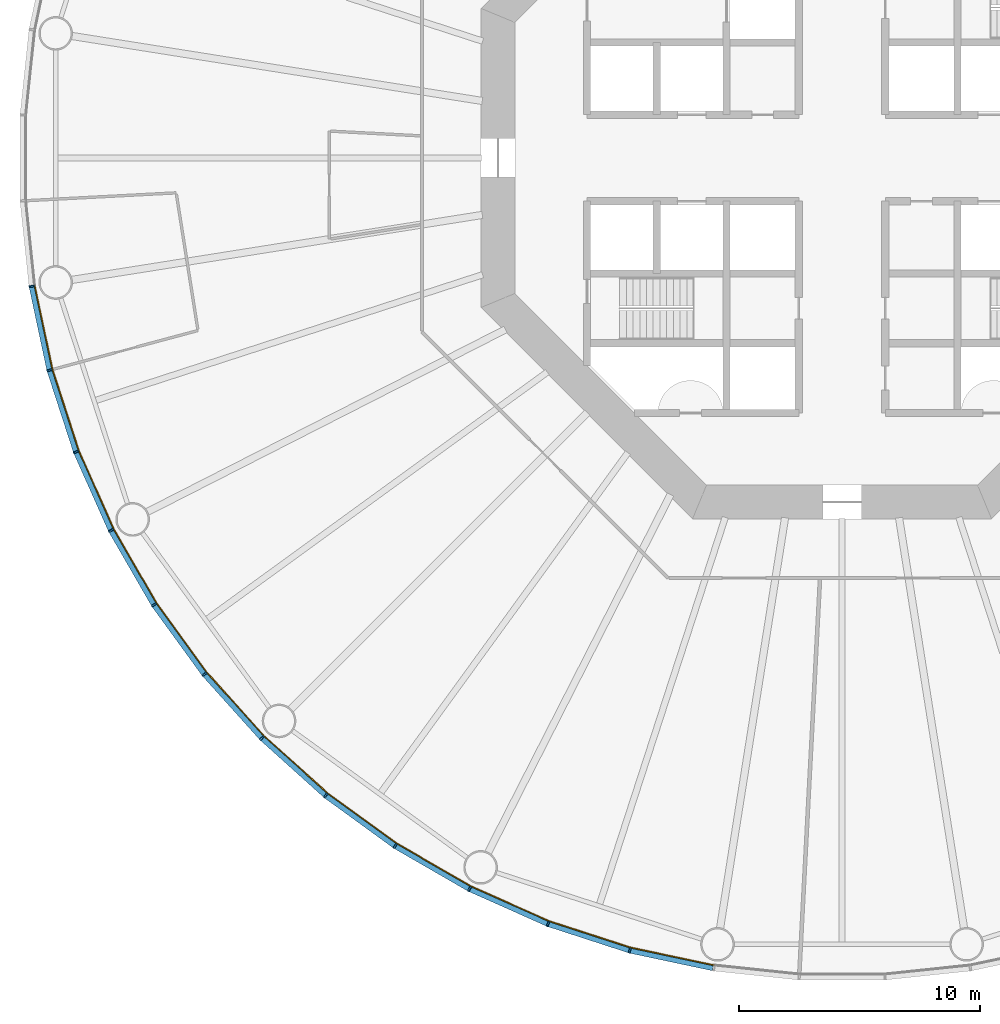
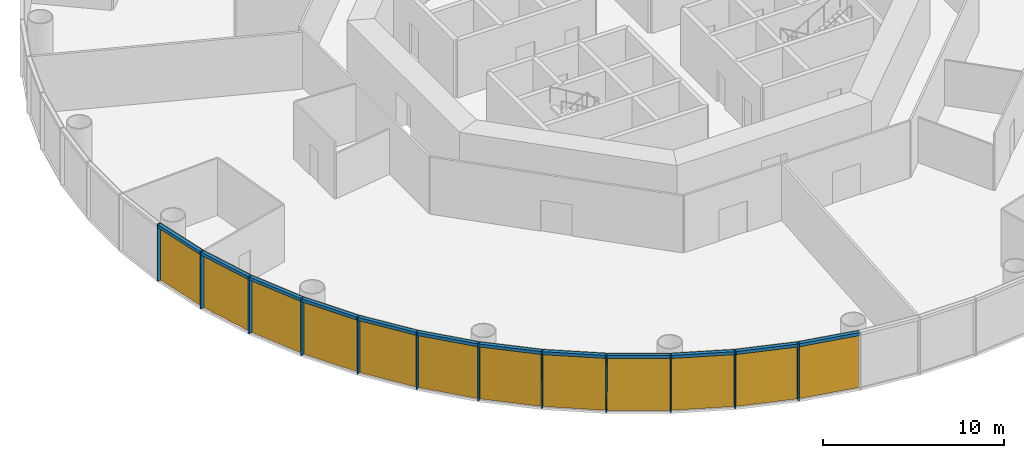
# One storey, part 6 of 12: 24 members, 4 curtain walls.
"""IFC4 building model written with IfcOpenShell, lengths in metres."""

from ifc_helpers import new_model, si_unit, direction, frame, origin, origin_2d, place, context, subcontext, project, spatial, polyline, rectangle, outline, extrude, material, layer, layer_set, material_profile, profile_set, type_object, element, aggregate, save


model = new_model("IFC4")

# Units and contexts
model_context = context("Model", 3, precision=1e-05, world=origin(), true_north=direction((0.0, 1.0)))
body_context = subcontext(model_context, "Body", "Model", "MODEL_VIEW")
ifc_project = project(units=[si_unit("LENGTHUNIT", "METRE"), si_unit("AREAUNIT", "SQUARE_METRE"), si_unit("VOLUMEUNIT", "CUBIC_METRE"), si_unit("PLANEANGLEUNIT", "RADIAN"), si_unit("MASSUNIT", "GRAM", prefix="KILO")], contexts=[model_context])

# Member
ifc_material_1 = material(Name="Anodised aluminium", Category="aluminium")
ifc_material_profile_1 = material_profile(ifc_material_1, rectangle(XDim=0.074951171875, YDim=0.219970703125, at=origin_2d()), Name="Mullion 75 x 220 mm anodised aluminium")
ifc_profile_set_1 = profile_set([ifc_material_profile_1], Name="Anodised aluminium")
member_type_1 = type_object("IfcMemberType", Name="Mullion 75 x 220 mm anodised aluminium", PredefinedType="MULLION", material=ifc_profile_set_1)
site_placement = place(None, origin())
building_placement = place(site_placement, origin())
storey_placement = place(building_placement, frame((0.0, 0.0, 66.0)))
member_1_placement = place(storey_placement, frame((56.31005859375, 74.6640625, 0.0), z_axis=(0.0, 0.0, 1.0), x_axis=(0.15643446504, -0.987688340595, 0.0)))
member_1 = element("IfcMember", 1, at=member_1_placement, type_object=member_type_1, Name="MULLION L14-30", PredefinedType="MULLION", context=body_context, shape_type="SweptSolid", body=[
    extrude(rectangle(XDim=0.074951171875, YDim=0.219970703125, at=origin_2d()), origin(), (0.0, 0.0, 1.0), 3.85009765625),
])

member_2_placement = place(storey_placement, frame((57.05224609375, 71.171630859375, 0.0), z_axis=(0.0, 0.0, 1.0), x_axis=(0.258819045103, -0.965925826289, 0.0)))
member_2 = element("IfcMember", 2, at=member_2_placement, type_object=member_type_1, Name="MULLION L14-31", PredefinedType="MULLION", context=body_context, shape_type="SweptSolid", body=[
    extrude(rectangle(XDim=0.074951171875, YDim=0.219970703125, at=origin_2d()), origin(), (0.0, 0.0, 1.0), 3.85009765625),
])

member_3_placement = place(storey_placement, frame((58.155517578125, 67.776123046875, 0.0), z_axis=(0.0, 0.0, 1.0), x_axis=(0.358367949545, -0.933580426497, 0.0)))
member_3 = element("IfcMember", 3, at=member_3_placement, type_object=member_type_1, Name="MULLION L14-32", PredefinedType="MULLION", context=body_context, shape_type="SweptSolid", body=[
    extrude(rectangle(XDim=0.074951171875, YDim=0.219970703125, at=origin_2d()), origin(), (0.0, 0.0, 1.0), 3.85009765625),
])

member_4_placement = place(storey_placement, frame((59.607666015625, 64.514404296875, 0.0), z_axis=(0.0, 0.0, 1.0), x_axis=(0.45399049974, -0.891006524188, 0.0)))
member_4 = element("IfcMember", 4, at=member_4_placement, type_object=member_type_1, Name="MULLION L14-33", PredefinedType="MULLION", context=body_context, shape_type="SweptSolid", body=[
    extrude(rectangle(XDim=0.074951171875, YDim=0.219970703125, at=origin_2d()), origin(), (0.0, 0.0, 1.0), 3.85009765625),
])

member_5_placement = place(storey_placement, frame((61.39306640625, 61.42236328125, 0.0), z_axis=(0.0, 0.0, 1.0), x_axis=(0.544639035015, -0.838670567945, 0.0)))
member_5 = element("IfcMember", 5, at=member_5_placement, type_object=member_type_1, Name="MULLION L14-34", PredefinedType="MULLION", context=body_context, shape_type="SweptSolid", body=[
    extrude(rectangle(XDim=0.074951171875, YDim=0.219970703125, at=origin_2d()), origin(), (0.0, 0.0, 1.0), 3.85009765625),
])

member_6_placement = place(storey_placement, frame((63.491455078125, 58.533935546875, 0.0), z_axis=(0.0, 0.0, 1.0), x_axis=(0.62932039105, -0.777145961457, 0.0)))
member_6 = element("IfcMember", 6, at=member_6_placement, type_object=member_type_1, Name="MULLION L14-35", PredefinedType="MULLION", context=body_context, shape_type="SweptSolid", body=[
    extrude(rectangle(XDim=0.074951171875, YDim=0.219970703125, at=origin_2d()), origin(), (0.0, 0.0, 1.0), 3.85009765625),
])

member_7_placement = place(storey_placement, frame((65.880615234375, 55.880615234375, 0.0), z_axis=(0.0, 0.0, 1.0), x_axis=(0.707106781187, -0.707106781187, 0.0)))
member_7 = element("IfcMember", 7, at=member_7_placement, type_object=member_type_1, Name="MULLION L14-36", PredefinedType="MULLION", context=body_context, shape_type="SweptSolid", body=[
    extrude(rectangle(XDim=0.074951171875, YDim=0.219970703125, at=origin_2d()), origin(), (0.0, 0.0, 1.0), 3.85009765625),
])

member_8_placement = place(storey_placement, frame((68.533935546875, 53.491455078125, 0.0), z_axis=(0.0, 0.0, 1.0), x_axis=(0.777145961457, -0.62932039105, 0.0)))
member_8 = element("IfcMember", 8, at=member_8_placement, type_object=member_type_1, Name="MULLION L14-37", PredefinedType="MULLION", context=body_context, shape_type="SweptSolid", body=[
    extrude(rectangle(XDim=0.074951171875, YDim=0.219970703125, at=origin_2d()), origin(), (0.0, 0.0, 1.0), 3.85009765625),
])

member_9_placement = place(storey_placement, frame((71.42236328125, 51.39306640625, 0.0), z_axis=(0.0, 0.0, 1.0), x_axis=(0.838670567945, -0.544639035015, 0.0)))
member_9 = element("IfcMember", 9, at=member_9_placement, type_object=member_type_1, Name="MULLION L14-38", PredefinedType="MULLION", context=body_context, shape_type="SweptSolid", body=[
    extrude(rectangle(XDim=0.074951171875, YDim=0.219970703125, at=origin_2d()), origin(), (0.0, 0.0, 1.0), 3.85009765625),
])

member_10_placement = place(storey_placement, frame((74.514404296875, 49.607666015625, 0.0), z_axis=(0.0, 0.0, 1.0), x_axis=(0.891006524188, -0.45399049974, 0.0)))
member_10 = element("IfcMember", 10, at=member_10_placement, type_object=member_type_1, Name="MULLION L14-39", PredefinedType="MULLION", context=body_context, shape_type="SweptSolid", body=[
    extrude(rectangle(XDim=0.074951171875, YDim=0.219970703125, at=origin_2d()), origin(), (0.0, 0.0, 1.0), 3.85009765625),
])

member_11_placement = place(storey_placement, frame((77.776123046875, 48.155517578125, 0.0), z_axis=(0.0, 0.0, 1.0), x_axis=(0.933580426497, -0.358367949545, 0.0)))
member_11 = element("IfcMember", 11, at=member_11_placement, type_object=member_type_1, Name="MULLION L14-40", PredefinedType="MULLION", context=body_context, shape_type="SweptSolid", body=[
    extrude(rectangle(XDim=0.074951171875, YDim=0.219970703125, at=origin_2d()), origin(), (0.0, 0.0, 1.0), 3.85009765625),
])

member_12_placement = place(storey_placement, frame((81.171630859375, 47.05224609375, 0.0), z_axis=(0.0, 0.0, 1.0), x_axis=(0.965925826289, -0.258819045103, 0.0)))
member_12 = element("IfcMember", 12, at=member_12_placement, type_object=member_type_1, Name="MULLION L14-41", PredefinedType="MULLION", context=body_context, shape_type="SweptSolid", body=[
    extrude(rectangle(XDim=0.074951171875, YDim=0.219970703125, at=origin_2d()), origin(), (0.0, 0.0, 1.0), 3.85009765625),
])

ifc_material_2 = material(Name="Anodised aluminium", Category="aluminium")
ifc_material_profile_2 = material_profile(ifc_material_2, rectangle(XDim=0.219970703125, YDim=0.199951171875, at=origin_2d()), Name="Transom 200 x 220 mm anodised aluminium")
ifc_profile_set_2 = profile_set([ifc_material_profile_2], Name="Anodised aluminium")
member_type_2 = type_object("IfcMemberType", Name="Transom 200 x 220 mm anodised aluminium", PredefinedType="USERDEFINED", material=ifc_profile_set_2)
member_13_placement = place(storey_placement, frame((56.31884765625, 74.62158203125, 3.75), z_axis=(0.207920776701, -0.978145669426, 0.0), x_axis=(0.978145669426, 0.207920776701, 0.0)))
member_13 = element("IfcMember", 13, at=member_13_placement, type_object=member_type_2, Name="TRANSOM L14-30", ObjectType="TRANSOM", PredefinedType="USERDEFINED", context=body_context, shape_type="SweptSolid", body=[
    extrude(rectangle(XDim=0.219970703125, YDim=0.199951171875, at=origin_2d()), origin(), (0.0, 0.0, 1.0), 3.48388671875),
])

member_14_placement = place(storey_placement, frame((57.0654296875, 71.130615234375, 3.75), z_axis=(0.309029029702, -0.951052605696, 0.0), x_axis=(0.951052605696, 0.309029029702, 0.0)))
member_14 = element("IfcMember", 14, at=member_14_placement, type_object=member_type_2, Name="TRANSOM L14-31", ObjectType="TRANSOM", PredefinedType="USERDEFINED", context=body_context, shape_type="SweptSolid", body=[
    extrude(rectangle(XDim=0.219970703125, YDim=0.199951171875, at=origin_2d()), origin(), (0.0, 0.0, 1.0), 3.484130859375),
])

member_15_placement = place(storey_placement, frame((58.173095703125, 67.736572265625, 3.75), z_axis=(0.406736576304, -0.913545487371, 0.0), x_axis=(0.913545487371, 0.406736576304, 0.0)))
member_15 = element("IfcMember", 15, at=member_15_placement, type_object=member_type_2, Name="TRANSOM L14-32", ObjectType="TRANSOM", PredefinedType="USERDEFINED", context=body_context, shape_type="SweptSolid", body=[
    extrude(rectangle(XDim=0.219970703125, YDim=0.199951171875, at=origin_2d()), origin(), (0.0, 0.0, 1.0), 3.48388671875),
])

member_16_placement = place(storey_placement, frame((59.629150390625, 64.476806640625, 3.75), z_axis=(0.500005538244, -0.866022206254, 0.0), x_axis=(0.866022206254, 0.500005538244, 0.0)))
member_16 = element("IfcMember", 16, at=member_16_placement, type_object=member_type_2, Name="TRANSOM L14-33", ObjectType="TRANSOM", PredefinedType="USERDEFINED", context=body_context, shape_type="SweptSolid", body=[
    extrude(rectangle(XDim=0.219970703125, YDim=0.199951171875, at=origin_2d()), origin(), (0.0, 0.0, 1.0), 3.48388671875),
])

member_17_placement = place(storey_placement, frame((61.418212890625, 61.38720703125, 3.75), z_axis=(0.587821627006, -0.80899056535, 0.0), x_axis=(0.80899056535, 0.587821627006, 0.0)))
member_17 = element("IfcMember", 17, at=member_17_placement, type_object=member_type_2, Name="TRANSOM L14-34", ObjectType="TRANSOM", PredefinedType="USERDEFINED", context=body_context, shape_type="SweptSolid", body=[
    extrude(rectangle(XDim=0.219970703125, YDim=0.199951171875, at=origin_2d()), origin(), (0.0, 0.0, 1.0), 3.48388671875),
])

member_18_placement = place(storey_placement, frame((63.520263671875, 58.501708984375, 3.75), z_axis=(0.669138930974, -0.743137329876, 0.0), x_axis=(0.743137329876, 0.669138930974, 0.0)))
member_18 = element("IfcMember", 18, at=member_18_placement, type_object=member_type_2, Name="TRANSOM L14-35", ObjectType="TRANSOM", PredefinedType="USERDEFINED", context=body_context, shape_type="SweptSolid", body=[
    extrude(rectangle(XDim=0.219970703125, YDim=0.199951171875, at=origin_2d()), origin(), (0.0, 0.0, 1.0), 3.484130859375),
])

member_19_placement = place(storey_placement, frame((65.91259765625, 55.8515625, 3.75), z_axis=(0.743137329876, -0.669138930974, 0.0), x_axis=(0.669138930974, 0.743137329876, 0.0)))
member_19 = element("IfcMember", 19, at=member_19_placement, type_object=member_type_2, Name="TRANSOM L14-36", ObjectType="TRANSOM", PredefinedType="USERDEFINED", context=body_context, shape_type="SweptSolid", body=[
    extrude(rectangle(XDim=0.219970703125, YDim=0.199951171875, at=origin_2d()), origin(), (0.0, 0.0, 1.0), 3.484130859375),
])

member_20_placement = place(storey_placement, frame((68.56884765625, 53.466064453125, 3.75), z_axis=(0.80899056535, -0.587821627006, 0.0), x_axis=(0.587821627006, 0.80899056535, 0.0)))
member_20 = element("IfcMember", 20, at=member_20_placement, type_object=member_type_2, Name="TRANSOM L14-37", ObjectType="TRANSOM", PredefinedType="USERDEFINED", context=body_context, shape_type="SweptSolid", body=[
    extrude(rectangle(XDim=0.219970703125, YDim=0.199951171875, at=origin_2d()), origin(), (0.0, 0.0, 1.0), 3.48388671875),
])

member_21_placement = place(storey_placement, frame((71.459716796875, 51.37109375, 3.75), z_axis=(0.866022206254, -0.500005538244, 0.0), x_axis=(0.500005538244, 0.866022206254, 0.0)))
member_21 = element("IfcMember", 21, at=member_21_placement, type_object=member_type_2, Name="TRANSOM L14-38", ObjectType="TRANSOM", PredefinedType="USERDEFINED", context=body_context, shape_type="SweptSolid", body=[
    extrude(rectangle(XDim=0.219970703125, YDim=0.199951171875, at=origin_2d()), origin(), (0.0, 0.0, 1.0), 3.48388671875),
])

member_22_placement = place(storey_placement, frame((74.553955078125, 49.590087890625, 3.75), z_axis=(0.913545487371, -0.406736576304, 0.0), x_axis=(0.406736576304, 0.913545487371, 0.0)))
member_22 = element("IfcMember", 22, at=member_22_placement, type_object=member_type_2, Name="TRANSOM L14-39", ObjectType="TRANSOM", PredefinedType="USERDEFINED", context=body_context, shape_type="SweptSolid", body=[
    extrude(rectangle(XDim=0.219970703125, YDim=0.199951171875, at=origin_2d()), origin(), (0.0, 0.0, 1.0), 3.48388671875),
])

member_23_placement = place(storey_placement, frame((77.817138671875, 48.14208984375, 3.75), z_axis=(0.951052605696, -0.309029029702, 0.0), x_axis=(0.309029029702, 0.951052605696, 0.0)))
member_23 = element("IfcMember", 23, at=member_23_placement, type_object=member_type_2, Name="TRANSOM L14-40", ObjectType="TRANSOM", PredefinedType="USERDEFINED", context=body_context, shape_type="SweptSolid", body=[
    extrude(rectangle(XDim=0.219970703125, YDim=0.199951171875, at=origin_2d()), origin(), (0.0, 0.0, 1.0), 3.484130859375),
])

member_24_placement = place(storey_placement, frame((81.2138671875, 47.043212890625, 3.75), z_axis=(0.978145669426, -0.207920776701, 0.0), x_axis=(0.207920776701, 0.978145669426, 0.0)))
member_24 = element("IfcMember", 24, at=member_24_placement, type_object=member_type_2, Name="TRANSOM L14-41", ObjectType="TRANSOM", PredefinedType="USERDEFINED", context=body_context, shape_type="SweptSolid", body=[
    extrude(rectangle(XDim=0.219970703125, YDim=0.199951171875, at=origin_2d()), origin(), (0.0, 0.0, 1.0), 3.48388671875),
])

# Site, building, storey
site = spatial("IfcSite", under=ifc_project, at=site_placement, CompositionType="ELEMENT")
building = spatial("IfcBuilding", under=site, at=building_placement, Name="Entoto Ring Tower", CompositionType="ELEMENT")
storey = spatial("IfcBuildingStorey", under=building, at=storey_placement, Name="L14", CompositionType="ELEMENT", Elevation=66.0)

# Curtain wall
ifc_material_3 = material(Name="Clear low-iron glass", Category="glass")
ifc_layer = layer(ifc_material_3, 0.0400390625)
ifc_layer_set = layer_set([ifc_layer], Name="Clear low-iron glass")
curtain_wall_type = type_object("IfcCurtainWallType", Name="Curtain wall system CW1 glazing 40 mm", PredefinedType="NOTDEFINED", material=ifc_layer_set)
curtain_wall_1_placement = place(storey_placement, origin())
curtain_wall_1 = element("IfcCurtainWall", 25, at=curtain_wall_1_placement, inside=storey, type_object=curtain_wall_type, Name="CW1 L14-11", PredefinedType="NOTDEFINED", context=body_context, shape_type="SweptSolid", body=[
    extrude(outline(polyline([(56.418701171875, 74.68115234375), (57.158447265625, 71.2001953125), (58.25830078125, 67.8154296875), (59.705810546875, 64.564208984375), (59.741455078125, 64.58251953125), (58.295654296875, 67.829833984375), (57.197265625, 71.21044921875), (56.458251953125, 74.6875), (56.418701171875, 74.68115234375)])), origin(), (0.0, 0.0, 1.0), 3.85009765625),
])

aggregate(curtain_wall_1, [member_1, member_2, member_3, member_13, member_14, member_15])

curtain_wall_2_placement = place(storey_placement, origin())
curtain_wall_2 = element("IfcCurtainWall", 26, at=curtain_wall_2_placement, inside=storey, type_object=curtain_wall_type, Name="CW1 L14-12", PredefinedType="NOTDEFINED", context=body_context, shape_type="SweptSolid", body=[
    extrude(outline(polyline([(59.705810546875, 64.564208984375), (61.485107421875, 61.482177734375), (63.5771484375, 58.60302734375), (65.958251953125, 55.958251953125), (65.986572265625, 55.986572265625), (63.608154296875, 58.62841796875), (61.518798828125, 61.504150390625), (59.741455078125, 64.58251953125), (59.705810546875, 64.564208984375)])), origin(), (0.0, 0.0, 1.0), 3.85009765625),
])

aggregate(curtain_wall_2, [member_4, member_5, member_6, member_16, member_17, member_18])

curtain_wall_3_placement = place(storey_placement, origin())
curtain_wall_3 = element("IfcCurtainWall", 27, at=curtain_wall_3_placement, inside=storey, type_object=curtain_wall_type, Name="CW1 L14-13", PredefinedType="NOTDEFINED", context=body_context, shape_type="SweptSolid", body=[
    extrude(outline(polyline([(65.958251953125, 55.958251953125), (68.60302734375, 53.5771484375), (71.482177734375, 51.485107421875), (74.564208984375, 49.705810546875), (74.58251953125, 49.741455078125), (71.504150390625, 51.518798828125), (68.62841796875, 53.608154296875), (65.986572265625, 55.986572265625), (65.958251953125, 55.958251953125)])), origin(), (0.0, 0.0, 1.0), 3.85009765625),
])

aggregate(curtain_wall_3, [member_7, member_8, member_9, member_19, member_20, member_21])

curtain_wall_4_placement = place(storey_placement, origin())
curtain_wall_4 = element("IfcCurtainWall", 28, at=curtain_wall_4_placement, inside=storey, type_object=curtain_wall_type, Name="CW1 L14-14", PredefinedType="NOTDEFINED", context=body_context, shape_type="SweptSolid", body=[
    extrude(outline(polyline([(74.564208984375, 49.705810546875), (77.8154296875, 48.25830078125), (81.2001953125, 47.158447265625), (84.68115234375, 46.418701171875), (84.6875, 46.458251953125), (81.21044921875, 47.197265625), (77.829833984375, 48.295654296875), (74.58251953125, 49.741455078125), (74.564208984375, 49.705810546875)])), origin(), (0.0, 0.0, 1.0), 3.85009765625),
])

aggregate(curtain_wall_4, [member_10, member_11, member_12, member_22, member_23, member_24])

save(model, "model.ifc")
